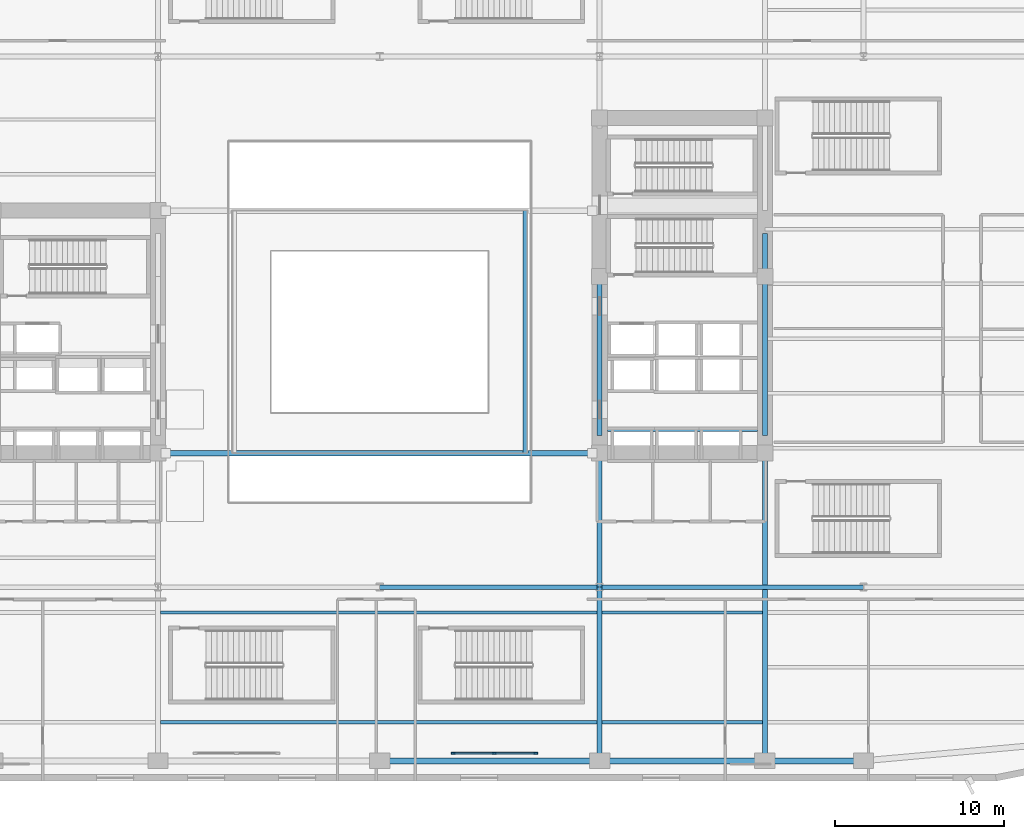
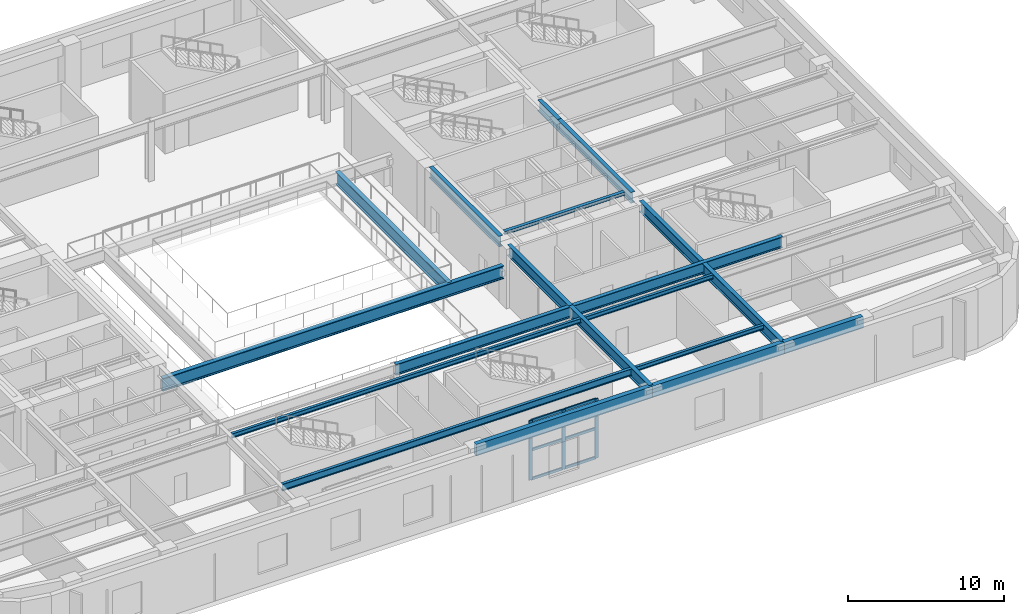
# One storey, part 3 of 22: 19 beams, 9 members, 1 element without a shape of its own.
"""IFC4 building model written with IfcOpenShell, lengths in metres."""

from ifc_helpers import new_model, si_unit, direction, frame, origin, origin_2d, place, context, subcontext, project, spatial, rectangle, hollow_rectangle, i_section, extrude, material, material_profile, profile_set, type_object, element, aggregate, save


model = new_model("IFC4")

# Units and contexts
model_context = context("Model", 3, precision=1e-05, world=origin(), true_north=direction((0.0, 1.0)))
body_context = subcontext(model_context, "Body", "Model", "MODEL_VIEW")
ifc_project = project(units=[si_unit("LENGTHUNIT", "METRE"), si_unit("AREAUNIT", "SQUARE_METRE"), si_unit("VOLUMEUNIT", "CUBIC_METRE"), si_unit("PLANEANGLEUNIT", "RADIAN"), si_unit("MASSUNIT", "GRAM", prefix="KILO")], contexts=[model_context])

# Site, building, storey
site_placement = place(None, origin())
site = spatial("IfcSite", under=ifc_project, at=site_placement, CompositionType="ELEMENT")
building_placement = place(site_placement, origin())
building = spatial("IfcBuilding", under=site, at=building_placement, Name="Kolvaren Arena Tower", CompositionType="ELEMENT")
storey_placement = place(building_placement, frame((0.0, 0.0, 13.0)))
storey = spatial("IfcBuildingStorey", under=building, at=storey_placement, Name="L02", CompositionType="ELEMENT", Elevation=13.0)

# Beam
ifc_material_1 = material(Name="Steel CSA G40.21 350W", Category="steel")
ifc_material_profile_1 = material_profile(ifc_material_1, i_section(OverallWidth=0.2119140625, OverallDepth=0.54296875, WebThickness=0.01318359375, FlangeThickness=0.0244140625, FilletRadius=0.013916015625, at=origin_2d()), Name="W530x150")
ifc_profile_set_1 = profile_set([ifc_material_profile_1], Name="Steel CSA G40.21 350W")
beam_type_1 = type_object("IfcBeamType", Name="BEAM-F1", PredefinedType="BEAM", material=ifc_profile_set_1)
beam_1_placement = place(storey_placement, frame((24.49609375, 3.5, 4.37841796875), z_axis=(1.0, 0.0, 0.0), x_axis=(0.0, 1.0, 0.0)))
element("IfcBeam", 1, at=beam_1_placement, inside=storey, type_object=beam_type_1, Name="Composite Floor Beam (L02)", PredefinedType="BEAM", context=body_context, shape_type="SweptSolid", body=[
    extrude(i_section(OverallWidth=0.2119140625, OverallDepth=0.54296875, WebThickness=0.01318359375, FlangeThickness=0.0244140625, FilletRadius=0.013916015625, at=origin_2d()), origin(), (0.0, 0.0, 1.0), 25.907958984375),
])

# Curtain wall, members
ifc_material_2 = material(Name="Anodised aluminium unitised curtain wall", Category="aluminium")
curtain_wall_type = type_object("IfcCurtainWallType", Name="CW-SYS-02", PredefinedType="USERDEFINED", material=ifc_material_2)
curtain_wall_placement = place(storey_placement, origin())
curtain_wall = element("IfcCurtainWall", 2, at=curtain_wall_placement, inside=storey, type_object=curtain_wall_type, Name="Arena Concourse Grand Portal Curtain Wall (L02)", ObjectType="UNITISED CURTAIN WALL", PredefinedType="USERDEFINED")
ifc_material_3 = material(Name="Anodised aluminium 6063-T6", Category="aluminium")
ifc_material_profile_2 = material_profile(ifc_material_3, rectangle(XDim=0.10009765625, YDim=0.239990234375, at=origin_2d()), Name="ALU-100x240")
ifc_profile_set_2 = profile_set([ifc_material_profile_2], Name="Anodised aluminium 6063-T6")
member_type_1 = type_object("IfcMemberType", Name="CWM-HVY", PredefinedType="MULLION", material=ifc_profile_set_2)
member_1_placement = place(storey_placement, frame((41.85009765625, 1.64990234375, 0.0), z_axis=(0.0, 0.0, 1.0), x_axis=(0.0, 1.0, 0.0)))
member_1 = element("IfcMember", 3, at=member_1_placement, type_object=member_type_1, Name="CW2 mullion 1", PredefinedType="MULLION", context=body_context, shape_type="SweptSolid", body=[
    extrude(rectangle(XDim=0.10009765625, YDim=0.239990234375, at=origin_2d()), origin(), (0.0, 0.0, 1.0), 4.64990234375),
])
member_2_placement = place(storey_placement, frame((44.300048828125, 1.64990234375, 0.0), z_axis=(0.0, 0.0, 1.0), x_axis=(0.0, 1.0, 0.0)))
member_2 = element("IfcMember", 4, at=member_2_placement, type_object=member_type_1, Name="CW2 mullion 2", PredefinedType="MULLION", context=body_context, shape_type="SweptSolid", body=[
    extrude(rectangle(XDim=0.10009765625, YDim=0.239990234375, at=origin_2d()), origin(), (0.0, 0.0, 1.0), 4.64990234375),
])
member_3_placement = place(storey_placement, frame((46.75, 1.64990234375, 0.0), z_axis=(0.0, 0.0, 1.0), x_axis=(0.0, 1.0, 0.0)))
member_3 = element("IfcMember", 5, at=member_3_placement, type_object=member_type_1, Name="CW2 mullion 3", PredefinedType="MULLION", context=body_context, shape_type="SweptSolid", body=[
    extrude(rectangle(XDim=0.10009765625, YDim=0.239990234375, at=origin_2d()), origin(), (0.0, 0.0, 1.0), 4.64990234375),
])
ifc_material_profile_3 = material_profile(ifc_material_3, rectangle(XDim=0.10009765625, YDim=0.199951171875, at=origin_2d()), Name="ALU-100x200")
ifc_profile_set_3 = profile_set([ifc_material_profile_3], Name="Anodised aluminium 6063-T6")
member_type_2 = type_object("IfcMemberType", Name="CWT-HVY", PredefinedType="USERDEFINED", material=ifc_profile_set_3)
member_4_placement = place(storey_placement, frame((41.89990234375, 1.64990234375, 0.050048828125), z_axis=(1.0, 0.0, 0.0), x_axis=(0.0, 1.0, 0.0)))
member_4 = element("IfcMember", 6, at=member_4_placement, type_object=member_type_2, Name="CW2 transom 1.1", ObjectType="TRANSOM", PredefinedType="USERDEFINED", context=body_context, shape_type="SweptSolid", body=[
    extrude(rectangle(XDim=0.10009765625, YDim=0.199951171875, at=origin_2d()), origin(), (0.0, 0.0, 1.0), 2.35009765625),
])
member_5_placement = place(storey_placement, frame((41.89990234375, 1.64990234375, 2.324951171875), z_axis=(1.0, 0.0, 0.0), x_axis=(0.0, 1.0, 0.0)))
member_5 = element("IfcMember", 7, at=member_5_placement, type_object=member_type_2, Name="CW2 transom 1.2", ObjectType="TRANSOM", PredefinedType="USERDEFINED", context=body_context, shape_type="SweptSolid", body=[
    extrude(rectangle(XDim=0.10009765625, YDim=0.199951171875, at=origin_2d()), origin(), (0.0, 0.0, 1.0), 2.35009765625),
])
member_6_placement = place(storey_placement, frame((41.89990234375, 1.64990234375, 4.60009765625), z_axis=(1.0, 0.0, 0.0), x_axis=(0.0, 1.0, 0.0)))
member_6 = element("IfcMember", 8, at=member_6_placement, type_object=member_type_2, Name="CW2 transom 1.3", ObjectType="TRANSOM", PredefinedType="USERDEFINED", context=body_context, shape_type="SweptSolid", body=[
    extrude(rectangle(XDim=0.10009765625, YDim=0.199951171875, at=origin_2d()), origin(), (0.0, 0.0, 1.0), 2.35009765625),
])
member_7_placement = place(storey_placement, frame((44.35009765625, 1.64990234375, 0.050048828125), z_axis=(1.0, 0.0, 0.0), x_axis=(0.0, 1.0, 0.0)))
member_7 = element("IfcMember", 9, at=member_7_placement, type_object=member_type_2, Name="CW2 transom 2.1", ObjectType="TRANSOM", PredefinedType="USERDEFINED", context=body_context, shape_type="SweptSolid", body=[
    extrude(rectangle(XDim=0.10009765625, YDim=0.199951171875, at=origin_2d()), origin(), (0.0, 0.0, 1.0), 2.349853515625),
])
member_8_placement = place(storey_placement, frame((44.35009765625, 1.64990234375, 2.324951171875), z_axis=(1.0, 0.0, 0.0), x_axis=(0.0, 1.0, 0.0)))
member_8 = element("IfcMember", 10, at=member_8_placement, type_object=member_type_2, Name="CW2 transom 2.2", ObjectType="TRANSOM", PredefinedType="USERDEFINED", context=body_context, shape_type="SweptSolid", body=[
    extrude(rectangle(XDim=0.10009765625, YDim=0.199951171875, at=origin_2d()), origin(), (0.0, 0.0, 1.0), 2.349853515625),
])
member_9_placement = place(storey_placement, frame((44.35009765625, 1.64990234375, 4.60009765625), z_axis=(1.0, 0.0, 0.0), x_axis=(0.0, 1.0, 0.0)))
member_9 = element("IfcMember", 11, at=member_9_placement, type_object=member_type_2, Name="CW2 transom 2.3", ObjectType="TRANSOM", PredefinedType="USERDEFINED", context=body_context, shape_type="SweptSolid", body=[
    extrude(rectangle(XDim=0.10009765625, YDim=0.199951171875, at=origin_2d()), origin(), (0.0, 0.0, 1.0), 2.349853515625),
])
aggregate(curtain_wall, [member_1, member_2, member_3, member_4, member_5, member_6, member_7, member_8, member_9])

# Beams
ifc_material_profile_4 = material_profile(ifc_material_1, i_section(OverallWidth=0.2919921875, OverallDepth=0.85498046875, WebThickness=0.02099609375, FlangeThickness=0.03564453125, FilletRadius=0.01806640625, at=origin_2d()), Name="W840x299")
ifc_profile_set_4 = profile_set([ifc_material_profile_4], Name="Steel CSA G40.21 350W")
beam_type_2 = type_object("IfcBeamType", Name="GIRD-P1", PredefinedType="BEAM", material=ifc_profile_set_4)
beam_2_placement = place(storey_placement, frame((37.5, 11.5, 4.222412109375), z_axis=(1.0, 0.0, 0.0), x_axis=(0.0, 1.0, 0.0)))
element("IfcBeam", 12, at=beam_2_placement, inside=storey, type_object=beam_type_2, Name="Primary Floor Girder (L02)", PredefinedType="BEAM", context=body_context, shape_type="SweptSolid", body=[
    extrude(i_section(OverallWidth=0.2919921875, OverallDepth=0.85498046875, WebThickness=0.02099609375, FlangeThickness=0.03564453125, FilletRadius=0.01806640625, at=origin_2d()), origin(), (0.0, 0.0, 1.0), 13.050048828125),
])
beam_3_placement = place(storey_placement, frame((50.550048828125, 11.5, 4.222412109375), z_axis=(1.0, 0.0, 0.0), x_axis=(0.0, 1.0, 0.0)))
element("IfcBeam", 13, at=beam_3_placement, inside=storey, type_object=beam_type_2, Name="Primary Floor Girder (L02)", PredefinedType="BEAM", context=body_context, shape_type="SweptSolid", body=[
    extrude(i_section(OverallWidth=0.2919921875, OverallDepth=0.85498046875, WebThickness=0.02099609375, FlangeThickness=0.03564453125, FilletRadius=0.01806640625, at=origin_2d()), origin(), (0.0, 0.0, 1.0), 15.64990234375),
])
beam_4_placement = place(storey_placement, frame((50.550048828125, 1.199951171875, 4.222412109375), z_axis=(0.0, 1.0, 0.0), x_axis=(-1.0, 0.0, 0.0)))
element("IfcBeam", 14, at=beam_4_placement, inside=storey, type_object=beam_type_2, Name="Primary Floor Girder (L02)", PredefinedType="BEAM", context=body_context, shape_type="SweptSolid", body=[
    extrude(i_section(OverallWidth=0.2919921875, OverallDepth=0.85498046875, WebThickness=0.02099609375, FlangeThickness=0.03564453125, FilletRadius=0.01806640625, at=origin_2d()), origin(), (0.0, 0.0, 1.0), 10.300048828125),
])
beam_5_placement = place(storey_placement, frame((50.550048828125, 11.5, 4.222412109375), z_axis=(0.0, 1.0, 0.0), x_axis=(-1.0, 0.0, 0.0)))
element("IfcBeam", 15, at=beam_5_placement, inside=storey, type_object=beam_type_2, Name="Primary Floor Girder (L02)", PredefinedType="BEAM", context=body_context, shape_type="SweptSolid", body=[
    extrude(i_section(OverallWidth=0.2919921875, OverallDepth=0.85498046875, WebThickness=0.02099609375, FlangeThickness=0.03564453125, FilletRadius=0.01806640625, at=origin_2d()), origin(), (0.0, 0.0, 1.0), 7.949951171875),
])
beam_6_placement = place(storey_placement, frame((50.550048828125, 20.5, 4.222412109375), z_axis=(0.0, 1.0, 0.0), x_axis=(-1.0, 0.0, 0.0)))
element("IfcBeam", 16, at=beam_6_placement, inside=storey, type_object=beam_type_2, Name="Primary Floor Girder (L02)", PredefinedType="BEAM", context=body_context, shape_type="SweptSolid", body=[
    extrude(i_section(OverallWidth=0.2919921875, OverallDepth=0.85498046875, WebThickness=0.02099609375, FlangeThickness=0.03564453125, FilletRadius=0.01806640625, at=origin_2d()), origin(), (0.0, 0.0, 1.0), 8.989990234375),
])
beam_7_placement = place(storey_placement, frame((60.35009765625, 1.199951171875, 4.222412109375), z_axis=(0.0, 1.0, 0.0), x_axis=(-1.0, 0.0, 0.0)))
element("IfcBeam", 17, at=beam_7_placement, inside=storey, type_object=beam_type_2, Name="Primary Floor Girder (L02)", PredefinedType="BEAM", context=body_context, shape_type="SweptSolid", body=[
    extrude(i_section(OverallWidth=0.2919921875, OverallDepth=0.85498046875, WebThickness=0.02099609375, FlangeThickness=0.03564453125, FilletRadius=0.01806640625, at=origin_2d()), origin(), (0.0, 0.0, 1.0), 10.154052734375),
])
beam_8_placement = place(storey_placement, frame((60.35009765625, 11.64599609375, 4.222412109375), z_axis=(0.0, 1.0, 0.0), x_axis=(-1.0, 0.0, 0.0)))
element("IfcBeam", 18, at=beam_8_placement, inside=storey, type_object=beam_type_2, Name="Primary Floor Girder (L02)", PredefinedType="BEAM", context=body_context, shape_type="SweptSolid", body=[
    extrude(i_section(OverallWidth=0.2919921875, OverallDepth=0.85498046875, WebThickness=0.02099609375, FlangeThickness=0.03564453125, FilletRadius=0.01806640625, at=origin_2d()), origin(), (0.0, 0.0, 1.0), 7.803955078125),
])
beam_9_placement = place(storey_placement, frame((60.35009765625, 20.5, 4.222412109375), z_axis=(0.0, 1.0, 0.0), x_axis=(-1.0, 0.0, 0.0)))
element("IfcBeam", 19, at=beam_9_placement, inside=storey, type_object=beam_type_2, Name="Primary Floor Girder (L02)", PredefinedType="BEAM", context=body_context, shape_type="SweptSolid", body=[
    extrude(i_section(OverallWidth=0.2919921875, OverallDepth=0.85498046875, WebThickness=0.02099609375, FlangeThickness=0.03564453125, FilletRadius=0.01806640625, at=origin_2d()), origin(), (0.0, 0.0, 1.0), 9.449951171875),
])
beam_10_placement = place(storey_placement, frame((60.35009765625, 29.949951171875, 4.222412109375), z_axis=(0.0, 1.0, 0.0), x_axis=(-1.0, 0.0, 0.0)))
element("IfcBeam", 20, at=beam_10_placement, inside=storey, type_object=beam_type_2, Name="Primary Floor Girder (L02)", PredefinedType="BEAM", context=body_context, shape_type="SweptSolid", body=[
    extrude(i_section(OverallWidth=0.2919921875, OverallDepth=0.85498046875, WebThickness=0.02099609375, FlangeThickness=0.03564453125, FilletRadius=0.01806640625, at=origin_2d()), origin(), (0.0, 0.0, 1.0), 2.550048828125),
])
ifc_material_profile_5 = material_profile(ifc_material_1, i_section(OverallWidth=0.202880859375, OverallDepth=0.346923828125, WebThickness=0.0078125, FlangeThickness=0.013427734375, FilletRadius=0.010986328125, at=origin_2d()), Name="W360x64")
ifc_profile_set_5 = profile_set([ifc_material_profile_5], Name="Steel CSA G40.21 350W")
beam_type_3 = type_object("IfcBeamType", Name="JOIST-01", PredefinedType="JOIST", material=ifc_profile_set_5)
beam_11_placement = place(storey_placement, frame((50.696044921875, 3.5, 4.4765625), z_axis=(1.0, 0.0, 0.0), x_axis=(0.0, 1.0, 0.0)))
element("IfcBeam", 21, at=beam_11_placement, inside=storey, type_object=beam_type_3, Name="Composite Floor Joist (L02)", PredefinedType="JOIST", context=body_context, shape_type="SweptSolid", body=[
    extrude(i_section(OverallWidth=0.202880859375, OverallDepth=0.346923828125, WebThickness=0.0078125, FlangeThickness=0.013427734375, FilletRadius=0.010986328125, at=origin_2d()), origin(), (0.0, 0.0, 1.0), 9.508056640625),
])
beam_12_placement = place(storey_placement, frame((24.49609375, 10.0, 4.4765625), z_axis=(1.0, 0.0, 0.0), x_axis=(0.0, 1.0, 0.0)))
element("IfcBeam", 22, at=beam_12_placement, inside=storey, type_object=beam_type_3, Name="Composite Floor Joist (L02)", PredefinedType="JOIST", context=body_context, shape_type="SweptSolid", body=[
    extrude(i_section(OverallWidth=0.202880859375, OverallDepth=0.346923828125, WebThickness=0.0078125, FlangeThickness=0.013427734375, FilletRadius=0.010986328125, at=origin_2d()), origin(), (0.0, 0.0, 1.0), 25.907958984375),
])
beam_13_placement = place(storey_placement, frame((50.696044921875, 10.0, 4.4765625), z_axis=(1.0, 0.0, 0.0), x_axis=(0.0, 1.0, 0.0)))
element("IfcBeam", 23, at=beam_13_placement, inside=storey, type_object=beam_type_3, Name="Composite Floor Joist (L02)", PredefinedType="JOIST", context=body_context, shape_type="SweptSolid", body=[
    extrude(i_section(OverallWidth=0.202880859375, OverallDepth=0.346923828125, WebThickness=0.0078125, FlangeThickness=0.013427734375, FilletRadius=0.010986328125, at=origin_2d()), origin(), (0.0, 0.0, 1.0), 9.508056640625),
])
ifc_material_profile_6 = material_profile(ifc_material_1, i_section(OverallWidth=0.25390625, OverallDepth=0.2529296875, WebThickness=0.008544921875, FlangeThickness=0.01416015625, FilletRadius=0.010009765625, at=origin_2d()), Name="W250x73")
ifc_profile_set_6 = profile_set([ifc_material_profile_6], Name="Steel CSA G40.21 350W")
beam_type_4 = type_object("IfcBeamType", Name="LINT-02", PredefinedType="LINTEL", material=ifc_profile_set_6)
beam_14_placement = place(storey_placement, frame((51.0, 20.8798828125, 4.5234375), z_axis=(1.0, 0.0, 0.0), x_axis=(0.0, 1.0, 0.0)))
element("IfcBeam", 24, at=beam_14_placement, inside=storey, type_object=beam_type_4, Name="East Lift Lobby Portal Lintel (L02)", PredefinedType="LINTEL", context=body_context, shape_type="SweptSolid", body=[
    extrude(i_section(OverallWidth=0.25390625, OverallDepth=0.2529296875, WebThickness=0.008544921875, FlangeThickness=0.01416015625, FilletRadius=0.010009765625, at=origin_2d()), origin(), (0.0, 0.0, 1.0), 8.89990234375),
])
ifc_material_profile_7 = material_profile(ifc_material_1, i_section(OverallWidth=0.323974609375, OverallDepth=1.011962890625, WebThickness=0.02685546875, FlangeThickness=0.0458984375, FilletRadius=0.02197265625, at=origin_2d()), Name="W1000x443")
ifc_profile_set_7 = profile_set([ifc_material_profile_7], Name="Steel CSA G40.21 350W")
beam_type_5 = type_object("IfcBeamType", Name="RAKER-01", PredefinedType="USERDEFINED", material=ifc_profile_set_7)
beam_15_placement = place(storey_placement, frame((24.800048828125, 19.449951171875, 2.68408203125), z_axis=(1.0, 0.0, 0.0), x_axis=(0.0, 1.0, 0.0)))
element("IfcBeam", 25, at=beam_15_placement, inside=storey, type_object=beam_type_5, Name="Arena Bowl Raker Girder (L02 S)", ObjectType="RAKER GIRDER", PredefinedType="USERDEFINED", context=body_context, shape_type="SweptSolid", body=[
    extrude(i_section(OverallWidth=0.323974609375, OverallDepth=1.011962890625, WebThickness=0.02685546875, FlangeThickness=0.0458984375, FilletRadius=0.02197265625, at=origin_2d()), origin(), (0.0, 0.0, 1.0), 25.300048828125),
])
beam_16_placement = place(storey_placement, frame((46.14990234375, 19.449951171875, 2.68408203125), z_axis=(0.0, 1.0, 0.0), x_axis=(-1.0, 0.0, 0.0)))
element("IfcBeam", 26, at=beam_16_placement, inside=storey, type_object=beam_type_5, Name="Arena Bowl Raker Girder (L02 E)", ObjectType="RAKER GIRDER", PredefinedType="USERDEFINED", context=body_context, shape_type="SweptSolid", body=[
    extrude(i_section(OverallWidth=0.323974609375, OverallDepth=1.011962890625, WebThickness=0.02685546875, FlangeThickness=0.0458984375, FilletRadius=0.02197265625, at=origin_2d()), origin(), (0.0, 0.0, 1.0), 14.400146484375),
])
ifc_material_4 = material(Name="Steel CSA G40.21 350WT", Category="steel")
ifc_material_profile_8 = material_profile(ifc_material_4, hollow_rectangle(XDim=0.35009765625, YDim=0.89990234375, WallThickness=0.02001953125, at=origin_2d()), Name="HSS 900x350x20")
ifc_profile_set_8 = profile_set([ifc_material_profile_8], Name="Steel CSA G40.21 350WT")
beam_type_6 = type_object("IfcBeamType", Name="SPAND-01", PredefinedType="SPANDREL", material=ifc_profile_set_8)
beam_17_placement = place(storey_placement, frame((37.5, 1.199951171875, 4.199951171875), z_axis=(1.0, 0.0, 0.0), x_axis=(0.0, 1.0, 0.0)))
element("IfcBeam", 27, at=beam_17_placement, inside=storey, type_object=beam_type_6, Name="Perimeter Spandrel Beam (L02)", PredefinedType="SPANDREL", context=body_context, shape_type="SweptSolid", body=[
    extrude(hollow_rectangle(XDim=0.35009765625, YDim=0.89990234375, WallThickness=0.02001953125, at=origin_2d()), origin(), (0.0, 0.0, 1.0), 13.050048828125),
])
beam_18_placement = place(storey_placement, frame((50.550048828125, 1.199951171875, 4.199951171875), z_axis=(1.0, 0.0, 0.0), x_axis=(0.0, 1.0, 0.0)))
element("IfcBeam", 28, at=beam_18_placement, inside=storey, type_object=beam_type_6, Name="Perimeter Spandrel Beam (L02)", PredefinedType="SPANDREL", context=body_context, shape_type="SweptSolid", body=[
    extrude(hollow_rectangle(XDim=0.35009765625, YDim=0.89990234375, WallThickness=0.02001953125, at=origin_2d()), origin(), (0.0, 0.0, 1.0), 9.800048828125),
])
beam_19_placement = place(storey_placement, frame((60.35009765625, 1.199951171875, 4.199951171875), z_axis=(1.0, 0.0, 0.0), x_axis=(0.0, 1.0, 0.0)))
element("IfcBeam", 29, at=beam_19_placement, inside=storey, type_object=beam_type_6, Name="Perimeter Spandrel Beam (L02)", PredefinedType="SPANDREL", context=body_context, shape_type="SweptSolid", body=[
    extrude(hollow_rectangle(XDim=0.35009765625, YDim=0.89990234375, WallThickness=0.02001953125, at=origin_2d()), origin(), (0.0, 0.0, 1.0), 5.849853515625),
])

save(model, "model.ifc")
